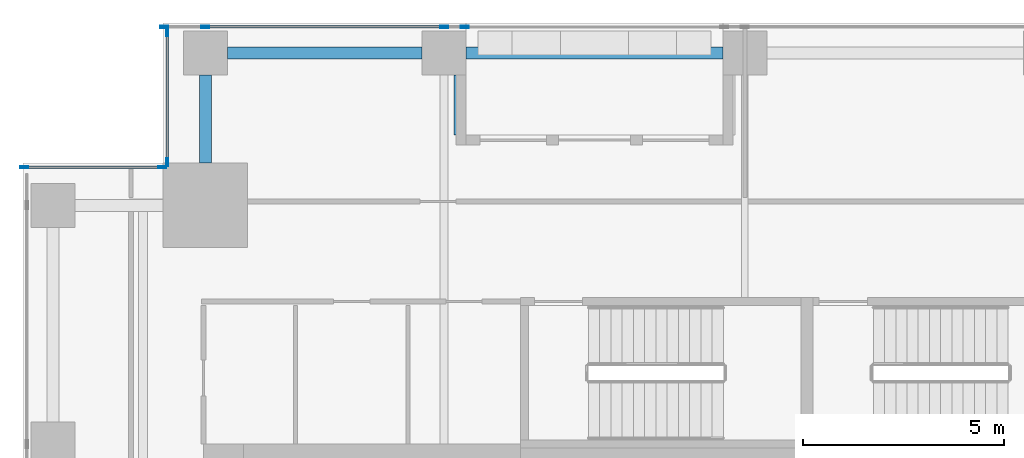
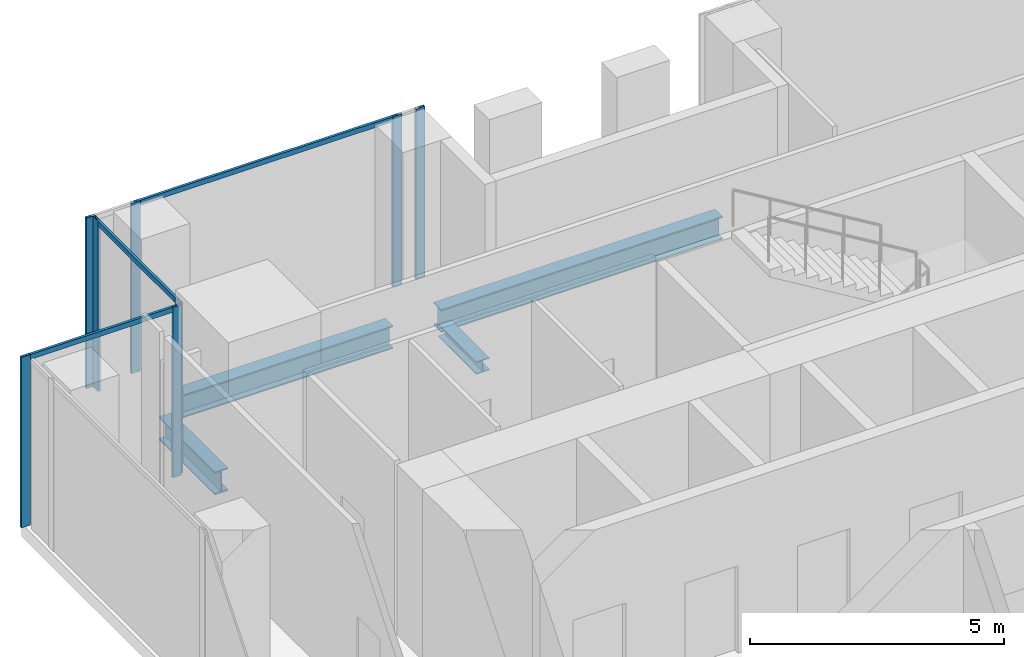
# One storey, part 16 of 34: 11 members, 4 beams, 3 elements without a shape of their own.
"""IFC4 building model written with IfcOpenShell, lengths in metres."""

from ifc_helpers import new_model, si_unit, direction, frame, origin, origin_2d, place, context, subcontext, project, spatial, hollow_rectangle, i_section, extrude, source, transform, mapped, material, material_profile, profile_set, type_object, element, aggregate, save


model = new_model("IFC4")

# Units and contexts
model_context = context("Model", 3, precision=1e-05, world=origin(), true_north=direction((0.0, 1.0)))
body_context = subcontext(model_context, "Body", "Model", "MODEL_VIEW")
ifc_project = project(units=[si_unit("LENGTHUNIT", "METRE"), si_unit("AREAUNIT", "SQUARE_METRE"), si_unit("VOLUMEUNIT", "CUBIC_METRE"), si_unit("PLANEANGLEUNIT", "RADIAN"), si_unit("MASSUNIT", "GRAM", prefix="KILO")], contexts=[model_context])

# Site, building, storey
site_placement = place(None, origin())
site = spatial("IfcSite", under=ifc_project, at=site_placement, CompositionType="ELEMENT")
building_placement = place(site_placement, origin())
building = spatial("IfcBuilding", under=site, at=building_placement, Name="Khomas Fold Tower", CompositionType="ELEMENT")
storey_placement = place(building_placement, frame((0.0, 0.0, 110.300048828125)))
storey = spatial("IfcBuildingStorey", under=building, at=storey_placement, Name="L23", CompositionType="ELEMENT", Elevation=110.300048828125)

# Beams
ifc_material_1 = material(Name="Steel S355", Category="steel")
ifc_material_profile_1 = material_profile(ifc_material_1, i_section(OverallWidth=0.300048828125, OverallDepth=0.550048828125, WebThickness=0.014892578125, FlangeThickness=0.029052734375, at=origin_2d()), Name="HE 550 B")
ifc_profile_set_1 = profile_set([ifc_material_profile_1], Name="Steel S355")
beam_type_1 = type_object("IfcBeamType", Name="HE 550 B spandrel SB2", PredefinedType="SPANDREL", material=ifc_profile_set_1)
shared_shape_1 = source(origin(), body_context, "Body", "SweptSolid", [
    extrude(i_section(OverallWidth=0.300048828125, OverallDepth=0.550048828125, WebThickness=0.014892578125, FlangeThickness=0.029052734375, at=origin_2d()), origin(), (0.0, 0.0, 1.0), 4.849853515625),
])
beam_1_placement = place(storey_placement, frame((6.60009765625, 51.75, -0.574951171875), z_axis=(1.0, 0.0, 0.0), x_axis=(0.0, 1.0, 0.0)))
element("IfcBeam", 1, at=beam_1_placement, inside=storey, type_object=beam_type_1, Name="SB2", PredefinedType="SPANDREL", context=body_context, shape_type="MappedRepresentation", body=[
    mapped(shared_shape_1, transform((0.0, 0.0, 0.0))),
])
shared_shape_2 = source(origin(), body_context, "Body", "SweptSolid", [
    extrude(i_section(OverallWidth=0.300048828125, OverallDepth=0.550048828125, WebThickness=0.014892578125, FlangeThickness=0.029052734375, at=origin_2d()), origin(), (0.0, 0.0, 1.0), 6.39990234375),
])
beam_2_placement = place(storey_placement, frame((12.550048828125, 51.75, -0.574951171875), z_axis=(1.0, 0.0, 0.0), x_axis=(0.0, 1.0, 0.0)))
element("IfcBeam", 2, at=beam_2_placement, inside=storey, type_object=beam_type_1, Name="SB2", PredefinedType="SPANDREL", context=body_context, shape_type="MappedRepresentation", body=[
    mapped(shared_shape_2, transform((0.0, 0.0, 0.0))),
])
shared_shape_3 = source(origin(), body_context, "Body", "SweptSolid", [
    extrude(i_section(OverallWidth=0.300048828125, OverallDepth=0.550048828125, WebThickness=0.014892578125, FlangeThickness=0.029052734375, at=origin_2d()), origin(), (0.0, 0.0, 1.0), 2.199951171875),
])
beam_3_placement = place(storey_placement, frame((6.050048828125, 49.0, -0.574951171875), z_axis=(0.0, 1.0, 0.0), x_axis=(-1.0, 0.0, 0.0)))
element("IfcBeam", 3, at=beam_3_placement, inside=storey, type_object=beam_type_1, Name="SB2", PredefinedType="SPANDREL", context=body_context, shape_type="MappedRepresentation", body=[
    mapped(shared_shape_3, transform((0.0, 0.0, 0.0))),
])
ifc_material_2 = material(Name="Steel S355", Category="steel")
ifc_material_profile_2 = material_profile(ifc_material_2, i_section(OverallWidth=0.300048828125, OverallDepth=0.300048828125, WebThickness=0.010986328125, FlangeThickness=0.01904296875, at=origin_2d()), Name="HE 300 B")
ifc_profile_set_2 = profile_set([ifc_material_profile_2], Name="Steel S355")
beam_type_2 = type_object("IfcBeamType", Name="HE 300 B beam BB1", PredefinedType="BEAM", material=ifc_profile_set_2)
shared_shape_4 = source(origin(), body_context, "Body", "SweptSolid", [
    extrude(i_section(OverallWidth=0.300048828125, OverallDepth=0.300048828125, WebThickness=0.010986328125, FlangeThickness=0.01904296875, at=origin_2d()), origin(), (0.0, 0.0, 1.0), 1.5),
])
beam_4_placement = place(storey_placement, frame((12.39990234375, 49.699951171875, -0.449951171875), z_axis=(0.0, 1.0, 0.0), x_axis=(-1.0, 0.0, 0.0)))
element("IfcBeam", 4, at=beam_4_placement, inside=storey, type_object=beam_type_2, Name="BB1", PredefinedType="BEAM", context=body_context, shape_type="MappedRepresentation", body=[
    mapped(shared_shape_4, transform((0.0, 0.0, 0.0))),
])

# Curtain wall, member
ifc_material_3 = material(Name="Aluminium framed double glazing", Category="aluminium")
curtain_wall_type = type_object("IfcCurtainWallType", Name="SK-Unitised clear-glass wall, growing floors CW1", PredefinedType="NOTDEFINED", material=ifc_material_3)
curtain_wall_1_placement = place(storey_placement, origin())
curtain_wall_1 = element("IfcCurtainWall", 5, at=curtain_wall_1_placement, inside=storey, type_object=curtain_wall_type, Name="CW1 run L23 06-1", PredefinedType="NOTDEFINED")
ifc_material_4 = material(Name="Aluminium", Category="aluminium")
ifc_material_profile_3 = material_profile(ifc_material_4, hollow_rectangle(XDim=0.06005859375, YDim=0.1201171875, WallThickness=0.00390625, at=origin_2d()), Name="SK-Unitised clear-glass wall, growing floors transom CW1-T")
ifc_profile_set_3 = profile_set([ifc_material_profile_3], Name="Aluminium")
member_type_1 = type_object("IfcMemberType", Name="SK-Unitised clear-glass wall, growing floors transom CW1-T", PredefinedType="USERDEFINED", material=ifc_profile_set_3)
shared_shape_5 = source(origin(), body_context, "Body", "SweptSolid", [
    extrude(hollow_rectangle(XDim=0.06005859375, YDim=0.1201171875, WallThickness=0.00390625, at=origin_2d()), origin(), (0.0, 0.0, 1.0), 5.889892578125),
])
member_1_placement = place(storey_placement, frame((11.969970703125, 52.39990234375, 4.0400390625), z_axis=(-1.0, 0.0, 0.0), x_axis=(0.0, -1.0, 0.0)))
member_1 = element("IfcMember", 6, at=member_1_placement, type_object=member_type_1, Name="CW1 transom 2", ObjectType="TRANSOM", PredefinedType="USERDEFINED", context=body_context, shape_type="MappedRepresentation", body=[
    mapped(shared_shape_5, transform((0.0, 0.0, 0.0))),
])

curtain_wall_2_placement = place(storey_placement, origin())
curtain_wall_2 = element("IfcCurtainWall", 7, at=curtain_wall_2_placement, inside=storey, type_object=curtain_wall_type, Name="CW1 corner return L23 07", PredefinedType="NOTDEFINED")
shared_shape_6 = source(origin(), body_context, "Body", "SweptSolid", [
    extrude(hollow_rectangle(XDim=0.06005859375, YDim=0.1201171875, WallThickness=0.00390625, at=origin_2d()), origin(), (0.0, 0.0, 1.0), 3.179931640625),
])
member_2_placement = place(storey_placement, frame((5.10009765625, 52.239990234375, 4.0400390625), z_axis=(0.0, -1.0, 0.0), x_axis=(1.0, 0.0, 0.0)))
member_2 = element("IfcMember", 8, at=member_2_placement, type_object=member_type_1, Name="CW1 transom 1", ObjectType="TRANSOM", PredefinedType="USERDEFINED", context=body_context, shape_type="MappedRepresentation", body=[
    mapped(shared_shape_6, transform((0.0, 0.0, 0.0))),
])

curtain_wall_3_placement = place(storey_placement, origin())
curtain_wall_3 = element("IfcCurtainWall", 9, at=curtain_wall_3_placement, inside=storey, type_object=curtain_wall_type, Name="CW1 corner return L23 08", PredefinedType="NOTDEFINED")
shared_shape_7 = source(origin(), body_context, "Body", "SweptSolid", [
    extrude(hollow_rectangle(XDim=0.06005859375, YDim=0.1201171875, WallThickness=0.00390625, at=origin_2d()), origin(), (0.0, 0.0, 1.0), 3.3798828125),
])
member_3_placement = place(storey_placement, frame((4.93994140625, 48.89990234375, 4.0400390625), z_axis=(-1.0, 0.0, 0.0), x_axis=(0.0, -1.0, 0.0)))
member_3 = element("IfcMember", 10, at=member_3_placement, type_object=member_type_1, Name="CW1 transom 1", ObjectType="TRANSOM", PredefinedType="USERDEFINED", context=body_context, shape_type="MappedRepresentation", body=[
    mapped(shared_shape_7, transform((0.0, 0.0, 0.0))),
])

# Member
ifc_material_5 = material(Name="Aluminium", Category="aluminium")
ifc_material_profile_4 = material_profile(ifc_material_5, hollow_rectangle(XDim=0.06005859375, YDim=0.199951171875, WallThickness=0.00390625, at=origin_2d()), Name="SK-Unitised clear-glass wall, growing floors mullion CW1-M")
ifc_profile_set_4 = profile_set([ifc_material_profile_4], Name="Aluminium")
member_type_2 = type_object("IfcMemberType", Name="SK-Unitised clear-glass wall, growing floors mullion CW1-M", PredefinedType="MULLION", material=ifc_profile_set_4)
shared_shape_8 = source(origin(), body_context, "Body", "SweptSolid", [
    extrude(hollow_rectangle(XDim=0.06005859375, YDim=0.199951171875, WallThickness=0.00390625, at=origin_2d()), origin(), (0.0, 0.0, 1.0), 4.099853515625),
])
member_4_placement = place(storey_placement, frame((12.52001953125, 52.39990234375, 0.0), z_axis=(0.0, 0.0, 1.0), x_axis=(0.0, -1.0, 0.0)))
member_4 = element("IfcMember", 11, at=member_4_placement, type_object=member_type_2, Name="CW1 mullion 1", PredefinedType="MULLION", context=body_context, shape_type="MappedRepresentation", body=[
    mapped(shared_shape_8, transform((0.0, 0.0, 0.0))),
])

member_5_placement = place(storey_placement, frame((12.0, 52.39990234375, 0.0), z_axis=(0.0, 0.0, 1.0), x_axis=(0.0, -1.0, 0.0)))
member_5 = element("IfcMember", 12, at=member_5_placement, type_object=member_type_2, Name="CW1 mullion 2", PredefinedType="MULLION", context=body_context, shape_type="MappedRepresentation", body=[
    mapped(shared_shape_8, transform((0.0, 0.0, 0.0))),
])

member_6_placement = place(storey_placement, frame((6.050048828125, 52.39990234375, 0.0), z_axis=(0.0, 0.0, 1.0), x_axis=(0.0, -1.0, 0.0)))
member_6 = element("IfcMember", 13, at=member_6_placement, type_object=member_type_2, Name="CW1 mullion 3", PredefinedType="MULLION", context=body_context, shape_type="MappedRepresentation", body=[
    mapped(shared_shape_8, transform((0.0, 0.0, 0.0))),
])

member_7_placement = place(storey_placement, frame((5.030029296875, 52.39990234375, 0.0), z_axis=(0.0, 0.0, 1.0), x_axis=(0.0, -1.0, 0.0)))
member_7 = element("IfcMember", 14, at=member_7_placement, type_object=member_type_2, Name="CW1 mullion 4", PredefinedType="MULLION", context=body_context, shape_type="MappedRepresentation", body=[
    mapped(shared_shape_8, transform((0.0, 0.0, 0.0))),
])

aggregate(curtain_wall_1, [member_4, member_5, member_6, member_7, member_1])

member_8_placement = place(storey_placement, frame((5.10009765625, 52.27001953125, 0.0), z_axis=(0.0, 0.0, 1.0), x_axis=(1.0, 0.0, 0.0)))
member_8 = element("IfcMember", 15, at=member_8_placement, type_object=member_type_2, Name="CW1 mullion 1", PredefinedType="MULLION", context=body_context, shape_type="MappedRepresentation", body=[
    mapped(shared_shape_8, transform((0.0, 0.0, 0.0))),
])

member_9_placement = place(storey_placement, frame((5.10009765625, 49.030029296875, 0.0), z_axis=(0.0, 0.0, 1.0), x_axis=(1.0, 0.0, 0.0)))
member_9 = element("IfcMember", 16, at=member_9_placement, type_object=member_type_2, Name="CW1 mullion 2", PredefinedType="MULLION", context=body_context, shape_type="MappedRepresentation", body=[
    mapped(shared_shape_8, transform((0.0, 0.0, 0.0))),
])

aggregate(curtain_wall_2, [member_8, member_9, member_2])

member_10_placement = place(storey_placement, frame((4.969970703125, 48.89990234375, 0.0), z_axis=(0.0, 0.0, 1.0), x_axis=(0.0, -1.0, 0.0)))
member_10 = element("IfcMember", 17, at=member_10_placement, type_object=member_type_2, Name="CW1 mullion 1", PredefinedType="MULLION", context=body_context, shape_type="MappedRepresentation", body=[
    mapped(shared_shape_8, transform((0.0, 0.0, 0.0))),
])

member_11_placement = place(storey_placement, frame((1.530029296875, 48.89990234375, 0.0), z_axis=(0.0, 0.0, 1.0), x_axis=(0.0, -1.0, 0.0)))
member_11 = element("IfcMember", 18, at=member_11_placement, type_object=member_type_2, Name="CW1 mullion 2", PredefinedType="MULLION", context=body_context, shape_type="MappedRepresentation", body=[
    mapped(shared_shape_8, transform((0.0, 0.0, 0.0))),
])

aggregate(curtain_wall_3, [member_10, member_11, member_3])

save(model, "model.ifc")
